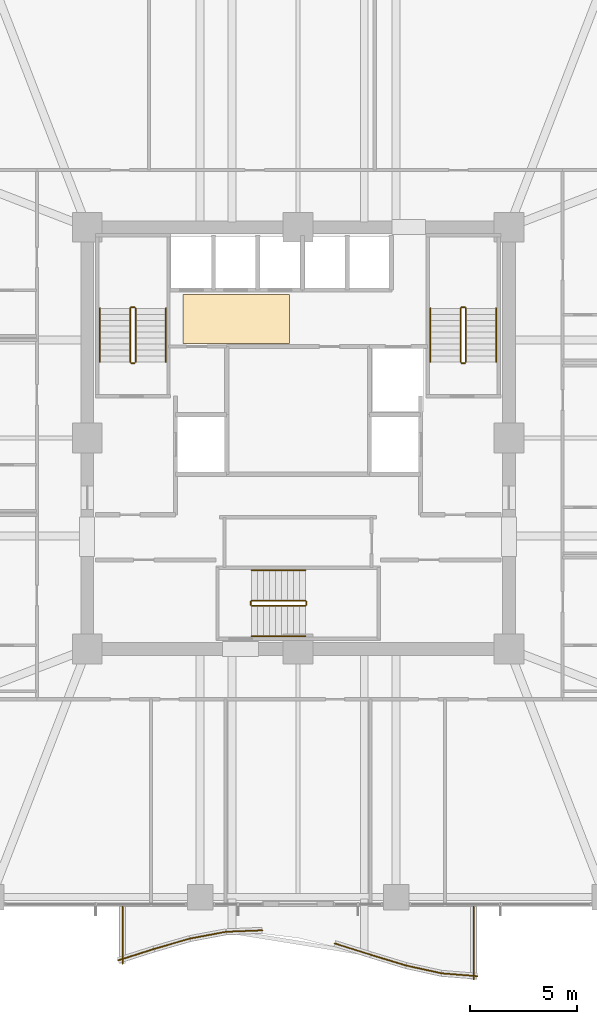
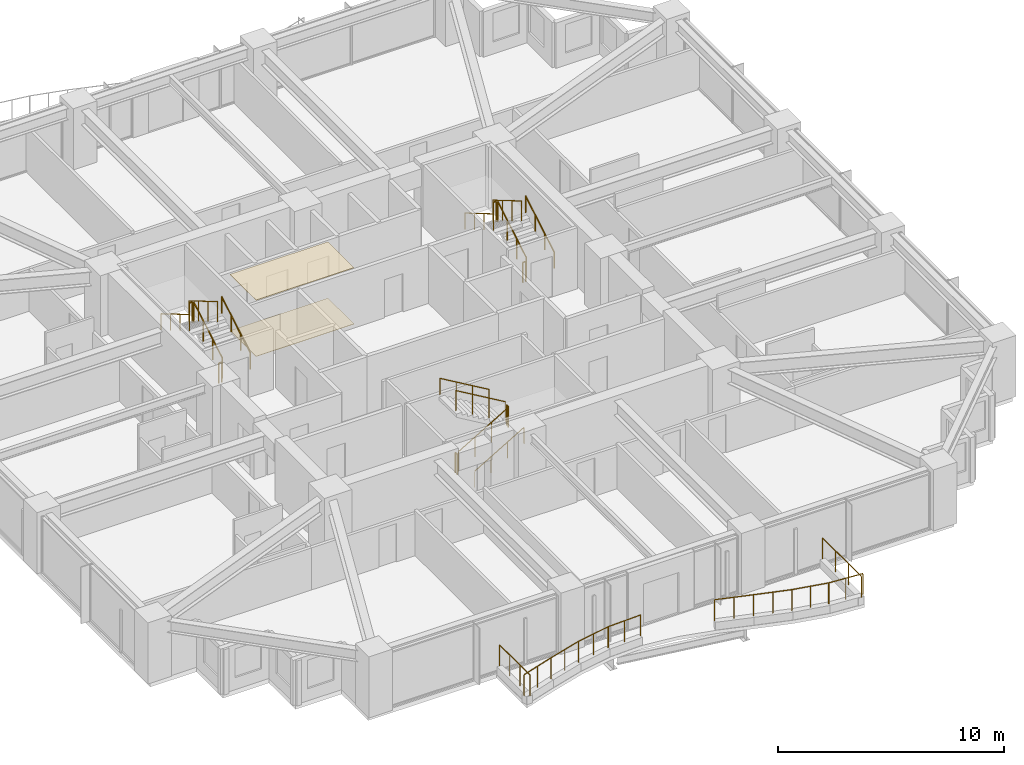
# One storey, part 37 of 38: 28 railings, 2 coverings.
"""IFC4 building model written with IfcOpenShell, lengths in metres."""

from ifc_helpers import new_model, si_unit, direction, frame, origin, origin_2d, place, context, subcontext, project, spatial, polyline, circle, outline, extrude, material, layer, layer_set, type_object, element, save


model = new_model("IFC4")

# Units and contexts
model_context = context("Model", 3, precision=1e-05, world=origin(), true_north=direction((0.0, 1.0)))
body_context = subcontext(model_context, "Body", "Model", "MODEL_VIEW")
ifc_project = project(units=[si_unit("LENGTHUNIT", "METRE"), si_unit("AREAUNIT", "SQUARE_METRE"), si_unit("VOLUMEUNIT", "CUBIC_METRE"), si_unit("PLANEANGLEUNIT", "RADIAN"), si_unit("MASSUNIT", "GRAM", prefix="KILO")], contexts=[model_context])

# Site, building, storey
site_placement = place(None, origin())
site = spatial("IfcSite", under=ifc_project, at=site_placement, CompositionType="ELEMENT")
building_placement = place(site_placement, origin())
building = spatial("IfcBuilding", under=site, at=building_placement, Name="Kolvaren Belvedere", CompositionType="ELEMENT")
storey_placement = place(building_placement, frame((0.0, 0.0, 30.39990234375)))
storey = spatial("IfcBuildingStorey", under=building, at=storey_placement, Name="L08", CompositionType="ELEMENT", Elevation=30.39990234375)

# Coverings
ifc_material_1 = material(Name="Acoustic perforated gypsum board", Category="gypsum")
ifc_layer_1 = layer(ifc_material_1, 0.02490234375)
ifc_layer_set_1 = layer_set([ifc_layer_1], Name="Acoustic perforated gypsum board")
covering_type_1 = type_object("IfcCoveringType", Name="COV-CEIL-GYP", PredefinedType="CEILING", material=ifc_layer_set_1)
covering_1_placement = place(storey_placement, frame((0.0, 0.0, 3.03515625)))
element("IfcCovering", 1, at=covering_1_placement, inside=storey, type_object=covering_type_1, Name="L08 Lift Lobby Acoustic Baffle Ceiling", PredefinedType="CEILING", context=body_context, shape_type="SweptSolid", body=[
    extrude(outline(polyline([(-5.39990234375, 4.449951171875), (-0.39990234375, 4.449951171875), (-0.39990234375, 6.75), (-5.39990234375, 6.75), (-5.39990234375, 4.449951171875)])), origin(), (0.0, 0.0, 1.0), 0.02490234375),
])
ifc_material_2 = material(Name="Engineered Pacific white oak", Category="timber")
ifc_layer_2 = layer(ifc_material_2, 0.02001953125)
ifc_layer_set_2 = layer_set([ifc_layer_2], Name="Engineered Pacific white oak")
covering_type_2 = type_object("IfcCoveringType", Name="COV-FLR-OAK", PredefinedType="FLOORING", material=ifc_layer_set_2)
covering_2_placement = place(storey_placement, origin())
element("IfcCovering", 2, at=covering_2_placement, inside=storey, type_object=covering_type_2, Name="L08 Lift Lobby Finish Flooring", PredefinedType="FLOORING", context=body_context, shape_type="SweptSolid", body=[
    extrude(outline(polyline([(-5.39990234375, 4.449951171875), (-0.39990234375, 4.449951171875), (-0.39990234375, 6.75), (-5.39990234375, 6.75), (-5.39990234375, 4.449951171875)])), origin(), (0.0, 0.0, 1.0), 0.02001953125),
])

# Railings
ifc_material_3 = material(Name="Anodised pale-metal aluminium & laminated glass guard", Category="aluminium")
railing_type_1 = type_object("IfcRailingType", Name="RL-GUARD-1150", PredefinedType="GUARDRAIL", material=ifc_material_3)
railing_1_placement = place(storey_placement, frame((-8.448486328125, -24.521240234375, 0.360107421875)))
element("IfcRailing", 3, at=railing_1_placement, inside=storey, type_object=railing_type_1, Name="L08 Exterior Deck Safety Guard BAL-S-1", PredefinedType="GUARDRAIL", context=body_context, shape_type="SweptSolid", body=[
    extrude(circle(Radius=0.02392578125, at=origin_2d()), frame((0.0, 0.0, 1.1259765625), z_axis=(0.952661770826, 0.304032153573, 0.0), x_axis=(-0.304032153573, 0.952661770826, 0.0)), (0.0, 0.0, 1.0), 1.763427734375),
    extrude(circle(Radius=0.02099609375, at=origin_2d()), origin(), (0.0, 0.0, 1.0), 1.101806640625),
    extrude(circle(Radius=0.02099609375, at=origin_2d()), frame((0.83984375, 0.26806640625, 0.0)), (0.0, 0.0, 1.0), 1.101806640625),
    extrude(circle(Radius=0.02099609375, at=origin_2d()), frame((1.679931640625, 0.5361328125, 0.0)), (0.0, 0.0, 1.0), 1.101806640625),
])
railing_2_placement = place(storey_placement, frame((-6.764404296875, -23.98388671875, 0.360107421875)))
element("IfcRailing", 4, at=railing_2_placement, inside=storey, type_object=railing_type_1, Name="L08 Exterior Deck Safety Guard BAL-S-2", PredefinedType="GUARDRAIL", context=body_context, shape_type="SweptSolid", body=[
    extrude(circle(Radius=0.02392578125, at=origin_2d()), frame((0.0, 0.0, 1.1259765625), z_axis=(0.96059663827, 0.277946215201, 0.0), x_axis=(-0.277946215201, 0.96059663827, 0.0)), (0.0, 0.0, 1.0), 1.748779296875),
    extrude(circle(Radius=0.02099609375, at=origin_2d()), origin(), (0.0, 0.0, 1.0), 1.101806640625),
    extrude(circle(Radius=0.02099609375, at=origin_2d()), frame((0.83984375, 0.2431640625, 0.0)), (0.0, 0.0, 1.0), 1.101806640625),
    extrude(circle(Radius=0.02099609375, at=origin_2d()), frame((1.679931640625, 0.486083984375, 0.0)), (0.0, 0.0, 1.0), 1.101806640625),
])
railing_3_placement = place(storey_placement, frame((-5.069580078125, -23.494384765625, 0.360107421875)))
element("IfcRailing", 5, at=railing_3_placement, inside=storey, type_object=railing_type_1, Name="L08 Exterior Deck Safety Guard BAL-S-3", PredefinedType="GUARDRAIL", context=body_context, shape_type="SweptSolid", body=[
    extrude(circle(Radius=0.02392578125, at=origin_2d()), frame((0.0, 0.0, 1.1259765625), z_axis=(0.982799348901, 0.18467658162, 0.0), x_axis=(-0.18467658162, 0.982799348901, 0.0)), (0.0, 0.0, 1.0), 1.709228515625),
    extrude(circle(Radius=0.02099609375, at=origin_2d()), origin(), (0.0, 0.0, 1.0), 1.101806640625),
    extrude(circle(Radius=0.02099609375, at=origin_2d()), frame((0.83984375, 0.15771484375, 0.0)), (0.0, 0.0, 1.0), 1.101806640625),
    extrude(circle(Radius=0.02099609375, at=origin_2d()), frame((1.679931640625, 0.315673828125, 0.0)), (0.0, 0.0, 1.0), 1.101806640625),
])
railing_4_placement = place(storey_placement, frame((-3.366455078125, -23.17578125, 0.360107421875)))
element("IfcRailing", 6, at=railing_4_placement, inside=storey, type_object=railing_type_1, Name="L08 Exterior Deck Safety Guard BAL-S-4", PredefinedType="GUARDRAIL", context=body_context, shape_type="SweptSolid", body=[
    extrude(circle(Radius=0.02392578125, at=origin_2d()), frame((0.0, 0.0, 1.1259765625), z_axis=(0.999202581436, 0.039927449854, 0.0), x_axis=(-0.039927449854, 0.999202581436, 0.0)), (0.0, 0.0, 1.0), 1.681396484375),
    extrude(circle(Radius=0.02099609375, at=origin_2d()), origin(), (0.0, 0.0, 1.0), 1.101806640625),
    extrude(circle(Radius=0.02099609375, at=origin_2d()), frame((0.840087890625, 0.03369140625, 0.0)), (0.0, 0.0, 1.0), 1.101806640625),
    extrude(circle(Radius=0.02099609375, at=origin_2d()), frame((1.68017578125, 0.067138671875, 0.0)), (0.0, 0.0, 1.0), 1.101806640625),
])
railing_5_placement = place(storey_placement, frame((1.727783203125, -23.7275390625, 0.360107421875)))
element("IfcRailing", 7, at=railing_5_placement, inside=storey, type_object=railing_type_1, Name="L08 Exterior Deck Safety Guard BAL-S-7", PredefinedType="GUARDRAIL", context=body_context, shape_type="SweptSolid", body=[
    extrude(circle(Radius=0.02392578125, at=origin_2d()), frame((0.0, 0.0, 1.1259765625), z_axis=(0.954069594374, -0.299585061529, 0.0), x_axis=(0.299585061529, 0.954069594374, 0.0)), (0.0, 0.0, 1.0), 1.760986328125),
    extrude(circle(Radius=0.02099609375, at=origin_2d()), origin(), (0.0, 0.0, 1.0), 1.101806640625),
    extrude(circle(Radius=0.02099609375, at=origin_2d()), frame((0.840087890625, -0.263671875, 0.0)), (0.0, 0.0, 1.0), 1.101806640625),
    extrude(circle(Radius=0.02099609375, at=origin_2d()), frame((1.68017578125, -0.527587890625, 0.0)), (0.0, 0.0, 1.0), 1.101806640625),
])
railing_6_placement = place(storey_placement, frame((3.406494140625, -24.254638671875, 0.360107421875)))
element("IfcRailing", 8, at=railing_6_placement, inside=storey, type_object=railing_type_1, Name="L08 Exterior Deck Safety Guard BAL-S-8", PredefinedType="GUARDRAIL", context=body_context, shape_type="SweptSolid", body=[
    extrude(circle(Radius=0.02392578125, at=origin_2d()), frame((0.0, 0.0, 1.1259765625), z_axis=(0.956732787823, -0.290967992577, 0.0), x_axis=(0.290967992577, 0.956732787823, 0.0)), (0.0, 0.0, 1.0), 1.756103515625),
    extrude(circle(Radius=0.02099609375, at=origin_2d()), origin(), (0.0, 0.0, 1.0), 1.101806640625),
    extrude(circle(Radius=0.02099609375, at=origin_2d()), frame((0.840087890625, -0.25537109375, 0.0)), (0.0, 0.0, 1.0), 1.101806640625),
    extrude(circle(Radius=0.02099609375, at=origin_2d()), frame((1.68017578125, -0.510986328125, 0.0)), (0.0, 0.0, 1.0), 1.101806640625),
])
railing_7_placement = place(storey_placement, frame((5.07421875, -24.762451171875, 0.360107421875)))
element("IfcRailing", 9, at=railing_7_placement, inside=storey, type_object=railing_type_1, Name="L08 Exterior Deck Safety Guard BAL-S-9", PredefinedType="GUARDRAIL", context=body_context, shape_type="SweptSolid", body=[
    extrude(circle(Radius=0.02392578125, at=origin_2d()), frame((0.0, 0.0, 1.1259765625), z_axis=(0.976876857632, -0.213802724545, 0.0), x_axis=(0.213802724545, 0.976876857632, 0.0)), (0.0, 0.0, 1.0), 1.7197265625),
    extrude(circle(Radius=0.02099609375, at=origin_2d()), origin(), (0.0, 0.0, 1.0), 1.101806640625),
    extrude(circle(Radius=0.02099609375, at=origin_2d()), frame((0.83984375, -0.183837890625, 0.0)), (0.0, 0.0, 1.0), 1.101806640625),
    extrude(circle(Radius=0.02099609375, at=origin_2d()), frame((1.679931640625, -0.36767578125, 0.0)), (0.0, 0.0, 1.0), 1.101806640625),
])
railing_8_placement = place(storey_placement, frame((6.732666015625, -25.126953125, 0.360107421875)))
element("IfcRailing", 10, at=railing_8_placement, inside=storey, type_object=railing_type_1, Name="L08 Exterior Deck Safety Guard BAL-S-10", PredefinedType="GUARDRAIL", context=body_context, shape_type="SweptSolid", body=[
    extrude(circle(Radius=0.02392578125, at=origin_2d()), frame((0.0, 0.0, 1.1259765625), z_axis=(0.99685522818, -0.079244268248, 0.0), x_axis=(0.079244268248, 0.99685522818, 0.0)), (0.0, 0.0, 1.0), 1.685302734375),
    extrude(circle(Radius=0.02099609375, at=origin_2d()), origin(), (0.0, 0.0, 1.0), 1.101806640625),
    extrude(circle(Radius=0.02099609375, at=origin_2d()), frame((0.83984375, -0.06689453125, 0.0)), (0.0, 0.0, 1.0), 1.101806640625),
    extrude(circle(Radius=0.02099609375, at=origin_2d()), frame((1.679931640625, -0.133544921875, 0.0)), (0.0, 0.0, 1.0), 1.101806640625),
])
railing_9_placement = place(storey_placement, frame((8.239990234375, -25.419921875, 0.360107421875)))
element("IfcRailing", 11, at=railing_9_placement, inside=storey, type_object=railing_type_1, Name="L08 Exterior Deck Safety Guard BAL-S-11", PredefinedType="GUARDRAIL", context=body_context, shape_type="SweptSolid", body=[
    extrude(circle(Radius=0.02392578125, at=origin_2d()), frame((0.0, 0.0, 1.1259765625), z_axis=(0.0, 1.0, 0.0), x_axis=(-1.0, 0.0, 0.0)), (0.0, 0.0, 1.0), 3.419921875),
    extrude(circle(Radius=0.02099609375, at=origin_2d()), origin(), (0.0, 0.0, 1.0), 1.101806640625),
    extrude(circle(Radius=0.02099609375, at=origin_2d()), frame((0.0, 1.139892578125, 0.0)), (0.0, 0.0, 1.0), 1.101806640625),
    extrude(circle(Radius=0.02099609375, at=origin_2d()), frame((0.0, 2.280029296875, 0.0)), (0.0, 0.0, 1.0), 1.101806640625),
    extrude(circle(Radius=0.02099609375, at=origin_2d()), frame((0.0, 3.419921875, 0.0)), (0.0, 0.0, 1.0), 1.101806640625),
])
railing_10_placement = place(storey_placement, frame((-8.239990234375, -22.0, 0.360107421875)))
element("IfcRailing", 12, at=railing_10_placement, inside=storey, type_object=railing_type_1, Name="L08 Exterior Deck Safety Guard BAL-S-22", PredefinedType="GUARDRAIL", context=body_context, shape_type="SweptSolid", body=[
    extrude(circle(Radius=0.02392578125, at=origin_2d()), frame((0.0, 0.0, 1.1259765625), z_axis=(0.0, -1.0, 0.0), x_axis=(1.0, 0.0, 0.0)), (0.0, 0.0, 1.0), 2.673583984375),
    extrude(circle(Radius=0.02099609375, at=origin_2d()), origin(), (0.0, 0.0, 1.0), 1.101806640625),
    extrude(circle(Radius=0.02099609375, at=origin_2d()), frame((0.0, -0.89111328125, 0.0)), (0.0, 0.0, 1.0), 1.101806640625),
    extrude(circle(Radius=0.02099609375, at=origin_2d()), frame((0.0, -1.782470703125, 0.0)), (0.0, 0.0, 1.0), 1.101806640625),
    extrude(circle(Radius=0.02099609375, at=origin_2d()), frame((0.0, -2.673583984375, 0.0)), (0.0, 0.0, 1.0), 1.101806640625),
])
ifc_material_4 = material(Name="Brushed stainless-steel handrail", Category="steel")
railing_type_2 = type_object("IfcRailingType", Name="RL-HANDRAIL-920", PredefinedType="HANDRAIL", material=ifc_material_4)
railing_11_placement = place(storey_placement, frame((-6.2099609375, 3.570068359375, 0.1650390625)))
element("IfcRailing", 13, at=railing_11_placement, inside=storey, type_object=railing_type_2, Name="L08 ST-1 stair handrail 1", PredefinedType="HANDRAIL", context=body_context, shape_type="SweptSolid", body=[
    extrude(circle(Radius=0.02392578125, at=origin_2d()), frame((0.0, 0.0, 0.8759765625), z_axis=(0.0, 0.86152411907, 0.507716645641), x_axis=(-1.0, 0.0, 0.0)), (0.0, 0.0, 1.0), 2.925048828125),
    extrude(circle(Radius=0.02099609375, at=origin_2d()), origin(), (0.0, 0.0, 1.0), 0.851806640625),
    extrude(circle(Radius=0.02099609375, at=origin_2d()), frame((0.0, 0.840087890625, 0.4951171875)), (0.0, 0.0, 1.0), 0.851806640625),
    extrude(circle(Radius=0.02099609375, at=origin_2d()), frame((0.0, 1.679931640625, 0.989990234375)), (0.0, 0.0, 1.0), 0.851806640625),
    extrude(circle(Radius=0.02099609375, at=origin_2d()), frame((0.0, 2.52001953125, 1.485107421875)), (0.0, 0.0, 1.0), 0.851806640625),
])
railing_12_placement = place(storey_placement, frame((-9.300048828125, 6.090087890625, 1.815185546875)))
element("IfcRailing", 14, at=railing_12_placement, inside=storey, type_object=railing_type_2, Name="L08 ST-1 stair handrail 2", PredefinedType="HANDRAIL", context=body_context, shape_type="SweptSolid", body=[
    extrude(circle(Radius=0.02392578125, at=origin_2d()), frame((0.0, 0.0, 0.8759765625), z_axis=(0.0, -0.861560626758, 0.507654692109), x_axis=(1.0, 0.0, 0.0)), (0.0, 0.0, 1.0), 2.925048828125),
    extrude(circle(Radius=0.02099609375, at=origin_2d()), origin(), (0.0, 0.0, 1.0), 0.851806640625),
    extrude(circle(Radius=0.02099609375, at=origin_2d()), frame((0.0, -0.840087890625, 0.494873046875)), (0.0, 0.0, 1.0), 0.851806640625),
    extrude(circle(Radius=0.02099609375, at=origin_2d()), frame((0.0, -1.679931640625, 0.989990234375)), (0.0, 0.0, 1.0), 0.851806640625),
    extrude(circle(Radius=0.02099609375, at=origin_2d()), frame((0.0, -2.52001953125, 1.48486328125)), (0.0, 0.0, 1.0), 0.851806640625),
])
railing_13_placement = place(storey_placement, frame((9.300048828125, 3.570068359375, 0.1650390625)))
element("IfcRailing", 15, at=railing_13_placement, inside=storey, type_object=railing_type_2, Name="L08 ST-2 stair handrail 1", PredefinedType="HANDRAIL", context=body_context, shape_type="SweptSolid", body=[
    extrude(circle(Radius=0.02392578125, at=origin_2d()), frame((0.0, 0.0, 0.8759765625), z_axis=(0.0, 0.86152411907, 0.507716645641), x_axis=(-1.0, 0.0, 0.0)), (0.0, 0.0, 1.0), 2.925048828125),
    extrude(circle(Radius=0.02099609375, at=origin_2d()), origin(), (0.0, 0.0, 1.0), 0.851806640625),
    extrude(circle(Radius=0.02099609375, at=origin_2d()), frame((0.0, 0.840087890625, 0.4951171875)), (0.0, 0.0, 1.0), 0.851806640625),
    extrude(circle(Radius=0.02099609375, at=origin_2d()), frame((0.0, 1.679931640625, 0.989990234375)), (0.0, 0.0, 1.0), 0.851806640625),
    extrude(circle(Radius=0.02099609375, at=origin_2d()), frame((0.0, 2.52001953125, 1.485107421875)), (0.0, 0.0, 1.0), 0.851806640625),
])
railing_14_placement = place(storey_placement, frame((6.2099609375, 6.090087890625, 1.815185546875)))
element("IfcRailing", 16, at=railing_14_placement, inside=storey, type_object=railing_type_2, Name="L08 ST-2 stair handrail 2", PredefinedType="HANDRAIL", context=body_context, shape_type="SweptSolid", body=[
    extrude(circle(Radius=0.02392578125, at=origin_2d()), frame((0.0, 0.0, 0.8759765625), z_axis=(0.0, -0.861560626758, 0.507654692109), x_axis=(1.0, 0.0, 0.0)), (0.0, 0.0, 1.0), 2.925048828125),
    extrude(circle(Radius=0.02099609375, at=origin_2d()), origin(), (0.0, 0.0, 1.0), 0.851806640625),
    extrude(circle(Radius=0.02099609375, at=origin_2d()), frame((0.0, -0.840087890625, 0.494873046875)), (0.0, 0.0, 1.0), 0.851806640625),
    extrude(circle(Radius=0.02099609375, at=origin_2d()), frame((0.0, -1.679931640625, 0.989990234375)), (0.0, 0.0, 1.0), 0.851806640625),
    extrude(circle(Radius=0.02099609375, at=origin_2d()), frame((0.0, -2.52001953125, 1.48486328125)), (0.0, 0.0, 1.0), 0.851806640625),
])
railing_15_placement = place(storey_placement, frame((-2.179931640625, -9.300048828125, 0.1650390625)))
element("IfcRailing", 17, at=railing_15_placement, inside=storey, type_object=railing_type_2, Name="L08 ST-3 stair handrail 1", PredefinedType="HANDRAIL", context=body_context, shape_type="SweptSolid", body=[
    extrude(circle(Radius=0.02392578125, at=origin_2d()), frame((0.0, 0.0, 0.8759765625), z_axis=(0.86152411907, 0.0, 0.507716645641), x_axis=(0.0, 1.0, 0.0)), (0.0, 0.0, 1.0), 2.925048828125),
    extrude(circle(Radius=0.02099609375, at=origin_2d()), origin(), (0.0, 0.0, 1.0), 0.851806640625),
    extrude(circle(Radius=0.02099609375, at=origin_2d()), frame((0.840087890625, 0.0, 0.4951171875)), (0.0, 0.0, 1.0), 0.851806640625),
    extrude(circle(Radius=0.02099609375, at=origin_2d()), frame((1.679931640625, 0.0, 0.989990234375)), (0.0, 0.0, 1.0), 0.851806640625),
    extrude(circle(Radius=0.02099609375, at=origin_2d()), frame((2.52001953125, 0.0, 1.485107421875)), (0.0, 0.0, 1.0), 0.851806640625),
])
railing_16_placement = place(storey_placement, frame((0.340087890625, -6.2099609375, 1.815185546875)))
element("IfcRailing", 18, at=railing_16_placement, inside=storey, type_object=railing_type_2, Name="L08 ST-3 stair handrail 2", PredefinedType="HANDRAIL", context=body_context, shape_type="SweptSolid", body=[
    extrude(circle(Radius=0.02392578125, at=origin_2d()), frame((0.0, 0.0, 0.8759765625), z_axis=(-0.861560626758, 0.0, 0.507654692109), x_axis=(0.0, -1.0, 0.0)), (0.0, 0.0, 1.0), 2.925048828125),
    extrude(circle(Radius=0.02099609375, at=origin_2d()), origin(), (0.0, 0.0, 1.0), 0.851806640625),
    extrude(circle(Radius=0.02099609375, at=origin_2d()), frame((-0.840087890625, 0.0, 0.494873046875)), (0.0, 0.0, 1.0), 0.851806640625),
    extrude(circle(Radius=0.02099609375, at=origin_2d()), frame((-1.679931640625, 0.0, 0.989990234375)), (0.0, 0.0, 1.0), 0.851806640625),
    extrude(circle(Radius=0.02099609375, at=origin_2d()), frame((-2.52001953125, 0.0, 1.48486328125)), (0.0, 0.0, 1.0), 0.851806640625),
])
ifc_material_5 = material(Name="Painted tubular steel stair guard", Category="steel")
railing_type_3 = type_object("IfcRailingType", Name="RL-STGUARD-1100", PredefinedType="GUARDRAIL", material=ifc_material_5)
railing_17_placement = place(storey_placement, frame((-7.6298828125, 3.570068359375, 0.1650390625)))
element("IfcRailing", 19, at=railing_17_placement, inside=storey, type_object=railing_type_3, Name="L08 ST-1 stair guard 1", PredefinedType="GUARDRAIL", context=body_context, shape_type="SweptSolid", body=[
    extrude(circle(Radius=0.02392578125, at=origin_2d()), frame((0.0, 0.0, 1.076171875), z_axis=(0.0, 0.86152411907, 0.507716645641), x_axis=(-1.0, 0.0, 0.0)), (0.0, 0.0, 1.0), 2.925048828125),
    extrude(circle(Radius=0.02099609375, at=origin_2d()), origin(), (0.0, 0.0, 1.0), 1.052001953125),
    extrude(circle(Radius=0.02099609375, at=origin_2d()), frame((0.0, 0.840087890625, 0.4951171875)), (0.0, 0.0, 1.0), 1.052001953125),
    extrude(circle(Radius=0.02099609375, at=origin_2d()), frame((0.0, 1.679931640625, 0.989990234375)), (0.0, 0.0, 1.0), 1.052001953125),
    extrude(circle(Radius=0.02099609375, at=origin_2d()), frame((0.0, 2.52001953125, 1.485107421875)), (0.0, 0.0, 1.0), 1.052001953125),
])
railing_18_placement = place(storey_placement, frame((-7.679931640625, 6.139892578125, 1.650146484375)))
element("IfcRailing", 20, at=railing_18_placement, inside=storey, type_object=railing_type_3, Name="L08 ST-1 stair guard 2", PredefinedType="GUARDRAIL", context=body_context, shape_type="SweptSolid", body=[
    extrude(circle(Radius=0.02392578125, at=origin_2d()), frame((0.0, 0.0, 1.076171875), z_axis=(-1.0, 0.0, 0.0), x_axis=(0.0, -1.0, 0.0)), (0.0, 0.0, 1.0), 0.150146484375),
    extrude(circle(Radius=0.02099609375, at=origin_2d()), origin(), (0.0, 0.0, 1.0), 1.052001953125),
    extrude(circle(Radius=0.02099609375, at=origin_2d()), frame((-0.150146484375, 0.0, 0.0)), (0.0, 0.0, 1.0), 1.052001953125),
])
railing_19_placement = place(storey_placement, frame((-7.8798828125, 6.090087890625, 1.815185546875)))
element("IfcRailing", 21, at=railing_19_placement, inside=storey, type_object=railing_type_3, Name="L08 ST-1 stair guard 3", PredefinedType="GUARDRAIL", context=body_context, shape_type="SweptSolid", body=[
    extrude(circle(Radius=0.02392578125, at=origin_2d()), frame((0.0, 0.0, 1.076171875), z_axis=(0.0, -0.861560626758, 0.507654692109), x_axis=(1.0, 0.0, 0.0)), (0.0, 0.0, 1.0), 2.925048828125),
    extrude(circle(Radius=0.02099609375, at=origin_2d()), origin(), (0.0, 0.0, 1.0), 1.052001953125),
    extrude(circle(Radius=0.02099609375, at=origin_2d()), frame((0.0, -0.840087890625, 0.494873046875)), (0.0, 0.0, 1.0), 1.052001953125),
    extrude(circle(Radius=0.02099609375, at=origin_2d()), frame((0.0, -1.679931640625, 0.989990234375)), (0.0, 0.0, 1.0), 1.052001953125),
    extrude(circle(Radius=0.02099609375, at=origin_2d()), frame((0.0, -2.52001953125, 1.48486328125)), (0.0, 0.0, 1.0), 1.052001953125),
])
railing_20_placement = place(storey_placement, frame((-7.679931640625, 3.52001953125, 0.0)))
element("IfcRailing", 22, at=railing_20_placement, inside=storey, type_object=railing_type_3, Name="L08 ST-1 stair guard 4", PredefinedType="GUARDRAIL", context=body_context, shape_type="SweptSolid", body=[
    extrude(circle(Radius=0.02392578125, at=origin_2d()), frame((0.0, 0.0, 1.076171875), z_axis=(-1.0, 0.0, 0.0), x_axis=(0.0, -1.0, 0.0)), (0.0, 0.0, 1.0), 0.150146484375),
    extrude(circle(Radius=0.02099609375, at=origin_2d()), origin(), (0.0, 0.0, 1.0), 1.052001953125),
    extrude(circle(Radius=0.02099609375, at=origin_2d()), frame((-0.150146484375, 0.0, 0.0)), (0.0, 0.0, 1.0), 1.052001953125),
])
railing_21_placement = place(storey_placement, frame((7.8798828125, 3.570068359375, 0.1650390625)))
element("IfcRailing", 23, at=railing_21_placement, inside=storey, type_object=railing_type_3, Name="L08 ST-2 stair guard 1", PredefinedType="GUARDRAIL", context=body_context, shape_type="SweptSolid", body=[
    extrude(circle(Radius=0.02392578125, at=origin_2d()), frame((0.0, 0.0, 1.076171875), z_axis=(0.0, 0.86152411907, 0.507716645641), x_axis=(-1.0, 0.0, 0.0)), (0.0, 0.0, 1.0), 2.925048828125),
    extrude(circle(Radius=0.02099609375, at=origin_2d()), origin(), (0.0, 0.0, 1.0), 1.052001953125),
    extrude(circle(Radius=0.02099609375, at=origin_2d()), frame((0.0, 0.840087890625, 0.4951171875)), (0.0, 0.0, 1.0), 1.052001953125),
    extrude(circle(Radius=0.02099609375, at=origin_2d()), frame((0.0, 1.679931640625, 0.989990234375)), (0.0, 0.0, 1.0), 1.052001953125),
    extrude(circle(Radius=0.02099609375, at=origin_2d()), frame((0.0, 2.52001953125, 1.485107421875)), (0.0, 0.0, 1.0), 1.052001953125),
])
railing_22_placement = place(storey_placement, frame((7.830078125, 6.139892578125, 1.650146484375)))
element("IfcRailing", 24, at=railing_22_placement, inside=storey, type_object=railing_type_3, Name="L08 ST-2 stair guard 2", PredefinedType="GUARDRAIL", context=body_context, shape_type="SweptSolid", body=[
    extrude(circle(Radius=0.02392578125, at=origin_2d()), frame((0.0, 0.0, 1.076171875), z_axis=(-1.0, 0.0, 0.0), x_axis=(0.0, -1.0, 0.0)), (0.0, 0.0, 1.0), 0.150146484375),
    extrude(circle(Radius=0.02099609375, at=origin_2d()), origin(), (0.0, 0.0, 1.0), 1.052001953125),
    extrude(circle(Radius=0.02099609375, at=origin_2d()), frame((-0.150146484375, 0.0, 0.0)), (0.0, 0.0, 1.0), 1.052001953125),
])
railing_23_placement = place(storey_placement, frame((7.6298828125, 6.090087890625, 1.815185546875)))
element("IfcRailing", 25, at=railing_23_placement, inside=storey, type_object=railing_type_3, Name="L08 ST-2 stair guard 3", PredefinedType="GUARDRAIL", context=body_context, shape_type="SweptSolid", body=[
    extrude(circle(Radius=0.02392578125, at=origin_2d()), frame((0.0, 0.0, 1.076171875), z_axis=(0.0, -0.861560626758, 0.507654692109), x_axis=(1.0, 0.0, 0.0)), (0.0, 0.0, 1.0), 2.925048828125),
    extrude(circle(Radius=0.02099609375, at=origin_2d()), origin(), (0.0, 0.0, 1.0), 1.052001953125),
    extrude(circle(Radius=0.02099609375, at=origin_2d()), frame((0.0, -0.840087890625, 0.494873046875)), (0.0, 0.0, 1.0), 1.052001953125),
    extrude(circle(Radius=0.02099609375, at=origin_2d()), frame((0.0, -1.679931640625, 0.989990234375)), (0.0, 0.0, 1.0), 1.052001953125),
    extrude(circle(Radius=0.02099609375, at=origin_2d()), frame((0.0, -2.52001953125, 1.48486328125)), (0.0, 0.0, 1.0), 1.052001953125),
])
railing_24_placement = place(storey_placement, frame((7.830078125, 3.52001953125, 0.0)))
element("IfcRailing", 26, at=railing_24_placement, inside=storey, type_object=railing_type_3, Name="L08 ST-2 stair guard 4", PredefinedType="GUARDRAIL", context=body_context, shape_type="SweptSolid", body=[
    extrude(circle(Radius=0.02392578125, at=origin_2d()), frame((0.0, 0.0, 1.076171875), z_axis=(-1.0, 0.0, 0.0), x_axis=(0.0, -1.0, 0.0)), (0.0, 0.0, 1.0), 0.150146484375),
    extrude(circle(Radius=0.02099609375, at=origin_2d()), origin(), (0.0, 0.0, 1.0), 1.052001953125),
    extrude(circle(Radius=0.02099609375, at=origin_2d()), frame((-0.150146484375, 0.0, 0.0)), (0.0, 0.0, 1.0), 1.052001953125),
])
railing_25_placement = place(storey_placement, frame((-2.179931640625, -7.8798828125, 0.1650390625)))
element("IfcRailing", 27, at=railing_25_placement, inside=storey, type_object=railing_type_3, Name="L08 ST-3 stair guard 1", PredefinedType="GUARDRAIL", context=body_context, shape_type="SweptSolid", body=[
    extrude(circle(Radius=0.02392578125, at=origin_2d()), frame((0.0, 0.0, 1.076171875), z_axis=(0.86152411907, 0.0, 0.507716645641), x_axis=(0.0, 1.0, 0.0)), (0.0, 0.0, 1.0), 2.925048828125),
    extrude(circle(Radius=0.02099609375, at=origin_2d()), origin(), (0.0, 0.0, 1.0), 1.052001953125),
    extrude(circle(Radius=0.02099609375, at=origin_2d()), frame((0.840087890625, 0.0, 0.4951171875)), (0.0, 0.0, 1.0), 1.052001953125),
    extrude(circle(Radius=0.02099609375, at=origin_2d()), frame((1.679931640625, 0.0, 0.989990234375)), (0.0, 0.0, 1.0), 1.052001953125),
    extrude(circle(Radius=0.02099609375, at=origin_2d()), frame((2.52001953125, 0.0, 1.485107421875)), (0.0, 0.0, 1.0), 1.052001953125),
])
railing_26_placement = place(storey_placement, frame((0.389892578125, -7.830078125, 1.650146484375)))
element("IfcRailing", 28, at=railing_26_placement, inside=storey, type_object=railing_type_3, Name="L08 ST-3 stair guard 2", PredefinedType="GUARDRAIL", context=body_context, shape_type="SweptSolid", body=[
    extrude(circle(Radius=0.02392578125, at=origin_2d()), frame((0.0, 0.0, 1.076171875), z_axis=(0.0, 1.0, 0.0), x_axis=(-1.0, 0.0, 0.0)), (0.0, 0.0, 1.0), 0.150146484375),
    extrude(circle(Radius=0.02099609375, at=origin_2d()), origin(), (0.0, 0.0, 1.0), 1.052001953125),
    extrude(circle(Radius=0.02099609375, at=origin_2d()), frame((0.0, 0.150146484375, 0.0)), (0.0, 0.0, 1.0), 1.052001953125),
])
railing_27_placement = place(storey_placement, frame((0.340087890625, -7.6298828125, 1.815185546875)))
element("IfcRailing", 29, at=railing_27_placement, inside=storey, type_object=railing_type_3, Name="L08 ST-3 stair guard 3", PredefinedType="GUARDRAIL", context=body_context, shape_type="SweptSolid", body=[
    extrude(circle(Radius=0.02392578125, at=origin_2d()), frame((0.0, 0.0, 1.076171875), z_axis=(-0.861560626758, 0.0, 0.507654692109), x_axis=(0.0, -1.0, 0.0)), (0.0, 0.0, 1.0), 2.925048828125),
    extrude(circle(Radius=0.02099609375, at=origin_2d()), origin(), (0.0, 0.0, 1.0), 1.052001953125),
    extrude(circle(Radius=0.02099609375, at=origin_2d()), frame((-0.840087890625, 0.0, 0.494873046875)), (0.0, 0.0, 1.0), 1.052001953125),
    extrude(circle(Radius=0.02099609375, at=origin_2d()), frame((-1.679931640625, 0.0, 0.989990234375)), (0.0, 0.0, 1.0), 1.052001953125),
    extrude(circle(Radius=0.02099609375, at=origin_2d()), frame((-2.52001953125, 0.0, 1.48486328125)), (0.0, 0.0, 1.0), 1.052001953125),
])
railing_28_placement = place(storey_placement, frame((-2.22998046875, -7.830078125, 0.0)))
element("IfcRailing", 30, at=railing_28_placement, inside=storey, type_object=railing_type_3, Name="L08 ST-3 stair guard 4", PredefinedType="GUARDRAIL", context=body_context, shape_type="SweptSolid", body=[
    extrude(circle(Radius=0.02392578125, at=origin_2d()), frame((0.0, 0.0, 1.076171875), z_axis=(0.0, 1.0, 0.0), x_axis=(-1.0, 0.0, 0.0)), (0.0, 0.0, 1.0), 0.150146484375),
    extrude(circle(Radius=0.02099609375, at=origin_2d()), origin(), (0.0, 0.0, 1.0), 1.052001953125),
    extrude(circle(Radius=0.02099609375, at=origin_2d()), frame((0.0, 0.150146484375, 0.0)), (0.0, 0.0, 1.0), 1.052001953125),
])

save(model, "model.ifc")
